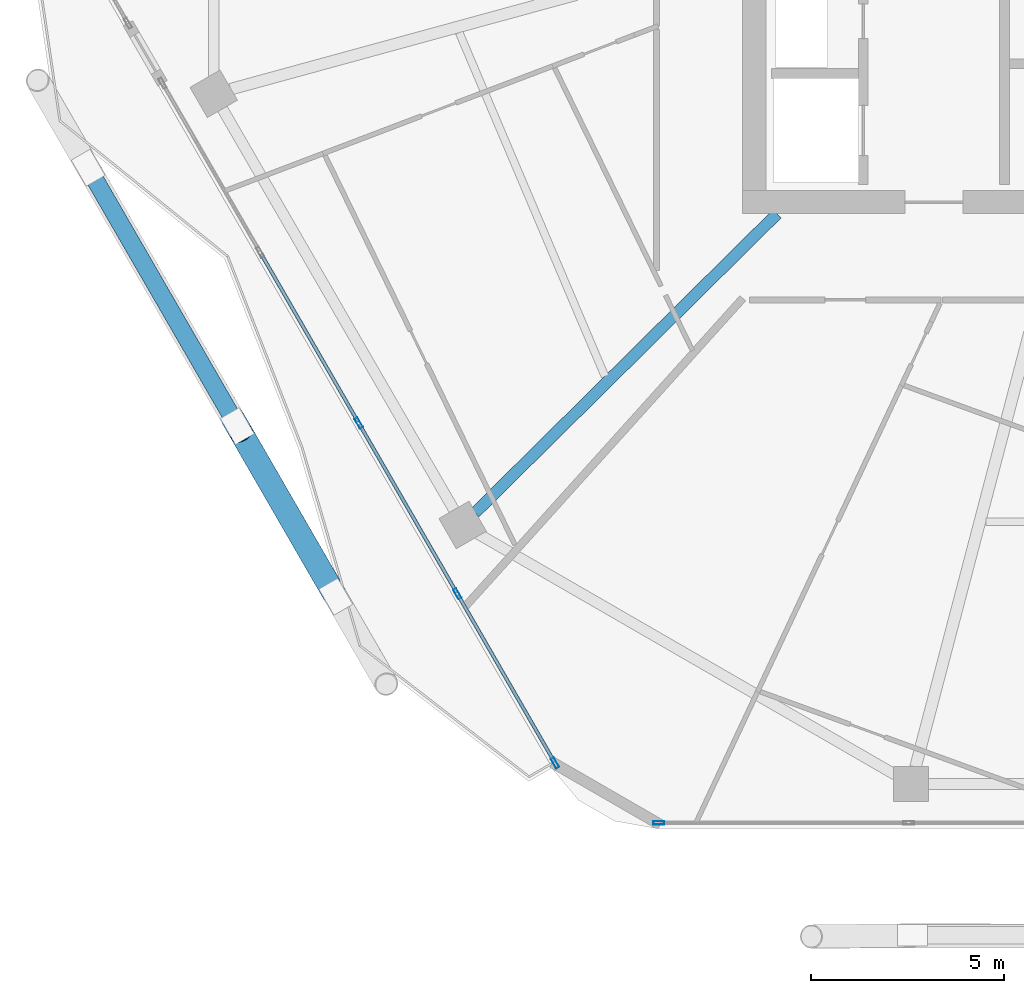
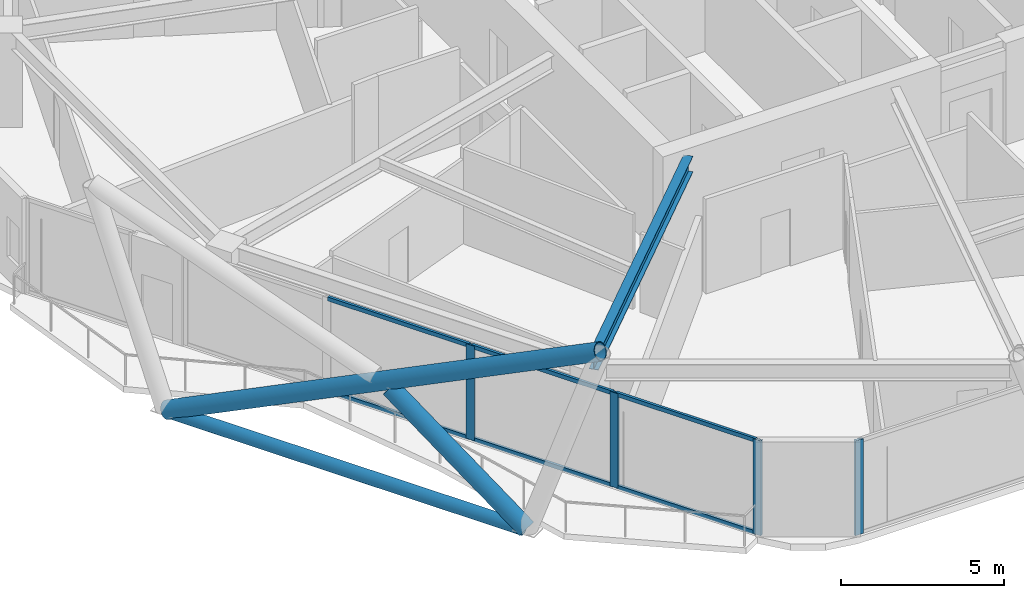
# One storey, part 2 of 27: 13 members, 1 beam, 2 elements without a shape of their own.
"""IFC4 building model written with IfcOpenShell, lengths in metres."""

from ifc_helpers import new_model, si_unit, direction, frame, origin, origin_2d, place, context, subcontext, project, spatial, hollow_rectangle, hollow_circle, i_section, extrude, material, material_profile, profile_set, type_object, element, aggregate, save


model = new_model("IFC4")

# Units and contexts
model_context = context("Model", 3, precision=1e-05, world=origin(), true_north=direction((0.0, 1.0)))
body_context = subcontext(model_context, "Body", "Model", "MODEL_VIEW")
ifc_project = project(units=[si_unit("LENGTHUNIT", "METRE"), si_unit("AREAUNIT", "SQUARE_METRE"), si_unit("VOLUMEUNIT", "CUBIC_METRE"), si_unit("PLANEANGLEUNIT", "RADIAN"), si_unit("MASSUNIT", "GRAM", prefix="KILO")], contexts=[model_context])

# Site, building, storey
site_placement = place(None, origin())
site = spatial("IfcSite", under=ifc_project, at=site_placement, CompositionType="ELEMENT")
building_placement = place(site_placement, origin())
building = spatial("IfcBuilding", under=site, at=building_placement, Name="Zuhravey Tower", CompositionType="ELEMENT")
storey_placement = place(building_placement, frame((0.0, 0.0, 238.800048828125)))
storey = spatial("IfcBuildingStorey", under=building, at=storey_placement, Name="L60", CompositionType="ELEMENT", Elevation=238.800048828125)

# Curtain wall, member
ifc_material_1 = material(Name="Thermally broken anodised aluminium", Category="aluminium")
curtain_wall_type = type_object("IfcCurtainWallType", Name="Zone 3-4 High-Rise Curtain Wall CW4", PredefinedType="NOTDEFINED", material=ifc_material_1)
curtain_wall_1_placement = place(storey_placement, origin())
curtain_wall_1 = element("IfcCurtainWall", 1, at=curtain_wall_1_placement, inside=storey, type_object=curtain_wall_type, Name="L60 CW4 CW-L60-F5-1", PredefinedType="NOTDEFINED")
ifc_material_2 = material(Name="Anodised aluminium", Category="aluminium")
ifc_material_profile_1 = material_profile(ifc_material_2, hollow_rectangle(XDim=0.090087890625, YDim=0.284912109375, WallThickness=0.0048828125, at=origin_2d()), Name="ALU-RHS-90x285x5")
ifc_profile_set_1 = profile_set([ifc_material_profile_1], Name="Anodised aluminium")
member_type_1 = type_object("IfcMemberType", Name="Curtain-Wall Mullion 90x180", PredefinedType="MULLION", material=ifc_profile_set_1)
member_1_placement = place(storey_placement, frame((23.0322265625, 6.436279296875, 0.0), z_axis=(0.0, 0.0, 1.0), x_axis=(0.0, -1.0, 0.0)))
member_1 = element("IfcMember", 2, at=member_1_placement, type_object=member_type_1, Name="CW4 mullion 5", PredefinedType="MULLION", context=body_context, shape_type="SweptSolid", body=[
    extrude(hollow_rectangle(XDim=0.090087890625, YDim=0.284912109375, WallThickness=0.0048828125, at=origin_2d()), origin(), (0.0, 0.0, 1.0), 3.550048828125),
])
aggregate(curtain_wall_1, [member_1])

# Curtain wall, members
curtain_wall_2_placement = place(storey_placement, origin())
curtain_wall_2 = element("IfcCurtainWall", 3, at=curtain_wall_2_placement, inside=storey, type_object=curtain_wall_type, Name="L60 CW4 CW-L60-F4-1", PredefinedType="NOTDEFINED")
member_2_placement = place(storey_placement, frame((20.34521484375, 7.98779296875, 0.0), z_axis=(0.0, 0.0, 1.0), x_axis=(-0.866024107098, -0.50000224592, 0.0)))
member_2 = element("IfcMember", 4, at=member_2_placement, type_object=member_type_1, Name="CW4 mullion 1", PredefinedType="MULLION", context=body_context, shape_type="SweptSolid", body=[
    extrude(hollow_rectangle(XDim=0.090087890625, YDim=0.284912109375, WallThickness=0.0048828125, at=origin_2d()), origin(), (0.0, 0.0, 1.0), 3.550048828125),
])
member_3_placement = place(storey_placement, frame((17.81787109375, 12.365234375, 0.0), z_axis=(0.0, 0.0, 1.0), x_axis=(-0.866024107098, -0.50000224592, 0.0)))
member_3 = element("IfcMember", 5, at=member_3_placement, type_object=member_type_1, Name="CW4 mullion 2", PredefinedType="MULLION", context=body_context, shape_type="SweptSolid", body=[
    extrude(hollow_rectangle(XDim=0.090087890625, YDim=0.284912109375, WallThickness=0.0048828125, at=origin_2d()), origin(), (0.0, 0.0, 1.0), 3.550048828125),
])
member_4_placement = place(storey_placement, frame((15.26806640625, 16.78173828125, 0.0), z_axis=(0.0, 0.0, 1.0), x_axis=(-0.866024107098, -0.50000224592, 0.0)))
member_4 = element("IfcMember", 6, at=member_4_placement, type_object=member_type_1, Name="CW4 mullion 3", PredefinedType="MULLION", context=body_context, shape_type="SweptSolid", body=[
    extrude(hollow_rectangle(XDim=0.090087890625, YDim=0.284912109375, WallThickness=0.0048828125, at=origin_2d()), origin(), (0.0, 0.0, 1.0), 3.550048828125),
])
ifc_material_profile_2 = material_profile(ifc_material_2, hollow_rectangle(XDim=0.090087890625, YDim=0.14990234375, WallThickness=0.0048828125, at=origin_2d()), Name="ALU-RHS-90x150x5")
ifc_profile_set_2 = profile_set([ifc_material_profile_2], Name="Anodised aluminium")
member_type_2 = type_object("IfcMemberType", Name="Curtain-Wall Transom 90x150", PredefinedType="USERDEFINED", material=ifc_profile_set_2)
member_5_placement = place(storey_placement, frame((20.322509765625, 8.02685546875, 0.044921875), z_axis=(-0.499973607288, 0.866040641088, 0.0), x_axis=(-0.866040641088, -0.499973607288, 0.0)))
member_5 = element("IfcMember", 7, at=member_5_placement, type_object=member_type_2, Name="CW4 transom 1.1", ObjectType="TRANSOM", PredefinedType="USERDEFINED", context=body_context, shape_type="SweptSolid", body=[
    extrude(hollow_rectangle(XDim=0.090087890625, YDim=0.14990234375, WallThickness=0.0048828125, at=origin_2d()), origin(), (0.0, 0.0, 1.0), 4.964599609375),
])
member_6_placement = place(storey_placement, frame((20.322509765625, 8.02685546875, 3.5048828125), z_axis=(-0.499973607288, 0.866040641088, 0.0), x_axis=(-0.866040641088, -0.499973607288, 0.0)))
member_6 = element("IfcMember", 8, at=member_6_placement, type_object=member_type_2, Name="CW4 transom 1.2", ObjectType="TRANSOM", PredefinedType="USERDEFINED", context=body_context, shape_type="SweptSolid", body=[
    extrude(hollow_rectangle(XDim=0.090087890625, YDim=0.14990234375, WallThickness=0.0048828125, at=origin_2d()), origin(), (0.0, 0.0, 1.0), 4.964599609375),
])
member_7_placement = place(storey_placement, frame((17.795166015625, 12.404296875, 0.044921875), z_axis=(-0.499981201845, 0.866036256632, 0.0), x_axis=(-0.866036256632, -0.499981201845, 0.0)))
member_7 = element("IfcMember", 9, at=member_7_placement, type_object=member_type_2, Name="CW4 transom 2.1", ObjectType="TRANSOM", PredefinedType="USERDEFINED", context=body_context, shape_type="SweptSolid", body=[
    extrude(hollow_rectangle(XDim=0.090087890625, YDim=0.14990234375, WallThickness=0.0048828125, at=origin_2d()), origin(), (0.0, 0.0, 1.0), 5.009521484375),
])
member_8_placement = place(storey_placement, frame((17.795166015625, 12.404296875, 3.5048828125), z_axis=(-0.499981201845, 0.866036256632, 0.0), x_axis=(-0.866036256632, -0.499981201845, 0.0)))
member_8 = element("IfcMember", 10, at=member_8_placement, type_object=member_type_2, Name="CW4 transom 2.2", ObjectType="TRANSOM", PredefinedType="USERDEFINED", context=body_context, shape_type="SweptSolid", body=[
    extrude(hollow_rectangle(XDim=0.090087890625, YDim=0.14990234375, WallThickness=0.0048828125, at=origin_2d()), origin(), (0.0, 0.0, 1.0), 5.009521484375),
])
member_9_placement = place(storey_placement, frame((15.245361328125, 16.820556640625, 0.044921875), z_axis=(-0.499960099869, 0.86604843891, 0.0), x_axis=(-0.86604843891, -0.499960099869, 0.0)))
member_9 = element("IfcMember", 11, at=member_9_placement, type_object=member_type_2, Name="CW4 transom 3.1", ObjectType="TRANSOM", PredefinedType="USERDEFINED", context=body_context, shape_type="SweptSolid", body=[
    extrude(hollow_rectangle(XDim=0.090087890625, YDim=0.14990234375, WallThickness=0.0048828125, at=origin_2d()), origin(), (0.0, 0.0, 1.0), 5.009765625),
])
member_10_placement = place(storey_placement, frame((15.245361328125, 16.820556640625, 3.5048828125), z_axis=(-0.499960099869, 0.86604843891, 0.0), x_axis=(-0.86604843891, -0.499960099869, 0.0)))
member_10 = element("IfcMember", 12, at=member_10_placement, type_object=member_type_2, Name="CW4 transom 3.2", ObjectType="TRANSOM", PredefinedType="USERDEFINED", context=body_context, shape_type="SweptSolid", body=[
    extrude(hollow_rectangle(XDim=0.090087890625, YDim=0.14990234375, WallThickness=0.0048828125, at=origin_2d()), origin(), (0.0, 0.0, 1.0), 5.009765625),
])
aggregate(curtain_wall_2, [member_2, member_3, member_4, member_5, member_6, member_7, member_8, member_9, member_10])

# Members
ifc_material_3 = material(Name="Steel SM355", Category="steel")
ifc_material_profile_3 = material_profile(ifc_material_3, hollow_circle(Radius=0.228515625, WallThickness=0.02197265625, at=origin_2d()), Name="CHS-457.2x22")
ifc_profile_set_3 = profile_set([ifc_material_profile_3], Name="Steel SM355")
member_type_3 = type_object("IfcMemberType", Name="Exoskeleton Ring Tie CHS457x22", PredefinedType="CHORD", material=ifc_profile_set_3)
member_11_placement = place(storey_placement, frame((8.337158203125, 23.26611328125, -0.464111328125), z_axis=(0.50000793057, -0.866020825019, 0.0), x_axis=(0.866020825019, 0.50000793057, 0.0)))
element("IfcMember", 13, at=member_11_placement, inside=storey, type_object=member_type_3, Name="L60 Exoskeleton Face 4 Tie EXR1", PredefinedType="CHORD", context=body_context, shape_type="SweptSolid", body=[
    extrude(hollow_circle(Radius=0.228515625, WallThickness=0.02197265625, at=origin_2d()), origin(), (0.0, 0.0, 1.0), 12.535400390625),
])
ifc_material_profile_4 = material_profile(ifc_material_3, hollow_circle(Radius=0.3046875, WallThickness=0.028076171875, at=origin_2d()), Name="CHS-609.6x28")
ifc_profile_set_4 = profile_set([ifc_material_profile_4], Name="Steel SM355")
member_type_4 = type_object("IfcMemberType", Name="Exoskeleton Zone 3 Diagrid CHS610x28", PredefinedType="BRACE", material=ifc_profile_set_4)
member_12_placement = place(storey_placement, frame((8.285400390625, 23.355712890625, -0.446044921875), z_axis=(0.44858715889, -0.776961798354, 0.441701171357), x_axis=(0.866021515814, 0.500006734102, 0.0)))
element("IfcMember", 14, at=member_12_placement, inside=storey, type_object=member_type_4, Name="L60 Face 4 Diagrid Brace 2", PredefinedType="BRACE", context=body_context, shape_type="SweptSolid", body=[
    extrude(hollow_circle(Radius=0.3046875, WallThickness=0.028076171875, at=origin_2d()), origin(), (0.0, 0.0, 1.0), 17.12451171875),
])
member_13_placement = place(storey_placement, frame((14.658447265625, 12.3173828125, -0.439697265625), z_axis=(-0.400847383704, 0.694296697272, 0.597723574183), x_axis=(-0.866028105091, -0.49999532117, 0.0)))
element("IfcMember", 15, at=member_13_placement, inside=storey, type_object=member_type_4, Name="L60 Face 4 Split Diagrid Brace 3A", PredefinedType="BRACE", context=body_context, shape_type="SweptSolid", body=[
    extrude(hollow_circle(Radius=0.3046875, WallThickness=0.028076171875, at=origin_2d()), origin(), (0.0, 0.0, 1.0), 6.021728515625),
])

# Beam
ifc_material_profile_5 = material_profile(ifc_material_3, i_section(OverallWidth=0.300048828125, OverallDepth=0.60009765625, WebThickness=0.011962890625, FlangeThickness=0.02001953125, at=origin_2d()), Name="H-600x300x12x20")
ifc_profile_set_5 = profile_set([ifc_material_profile_5], Name="Steel SM355")
beam_type = type_object("IfcBeamType", Name="Radial Primary Girder H600x300", PredefinedType="BEAM", material=ifc_profile_set_5)
beam_placement = place(storey_placement, frame((26.09326171875, 22.197021484375, 3.25), z_axis=(-0.710816516282, -0.703377480576, 0.0), x_axis=(0.703377480576, -0.710816516282, 0.0)))
element("IfcBeam", 16, at=beam_placement, inside=storey, type_object=beam_type, Name="L60 RG3 BM-L60-RAD-08", PredefinedType="BEAM", context=body_context, shape_type="SweptSolid", body=[
    extrude(i_section(OverallWidth=0.300048828125, OverallDepth=0.60009765625, WebThickness=0.011962890625, FlangeThickness=0.02001953125, at=origin_2d()), origin(), (0.0, 0.0, 1.0), 10.994384765625),
])

save(model, "model.ifc")
